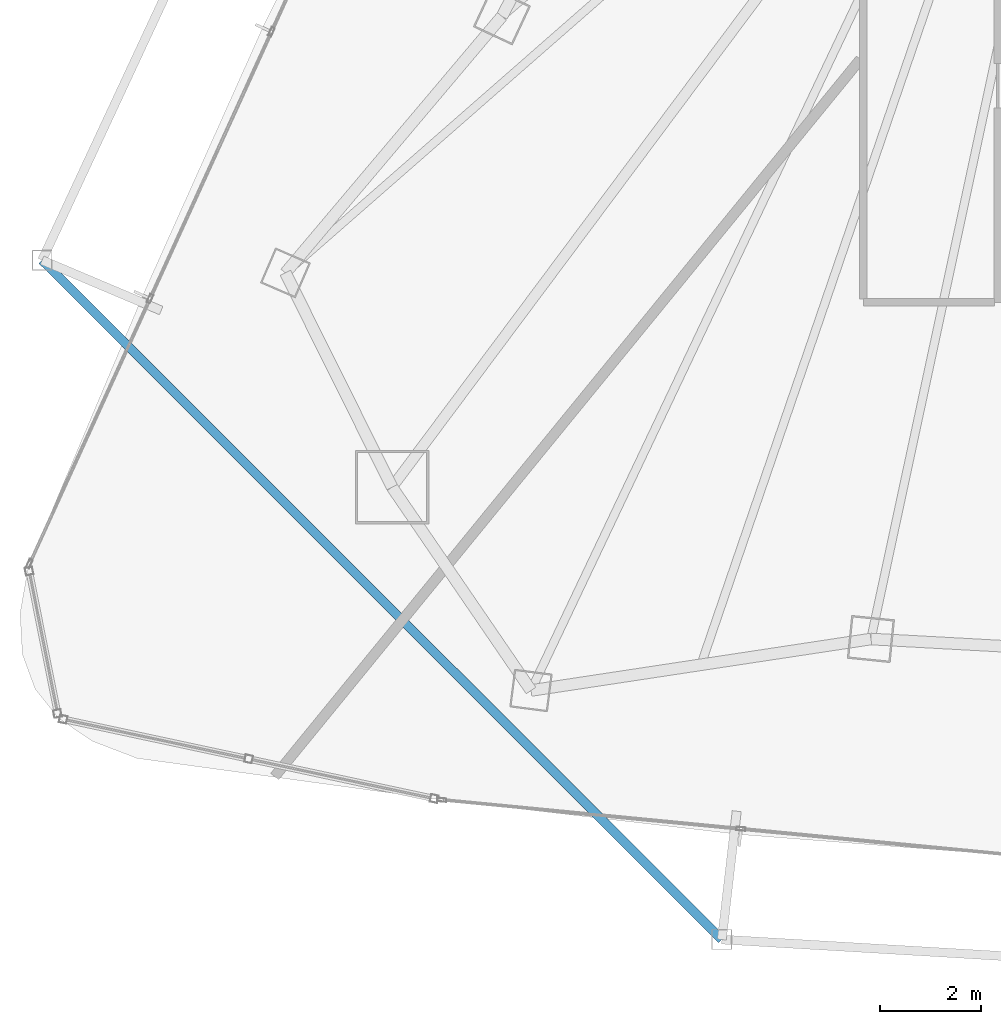
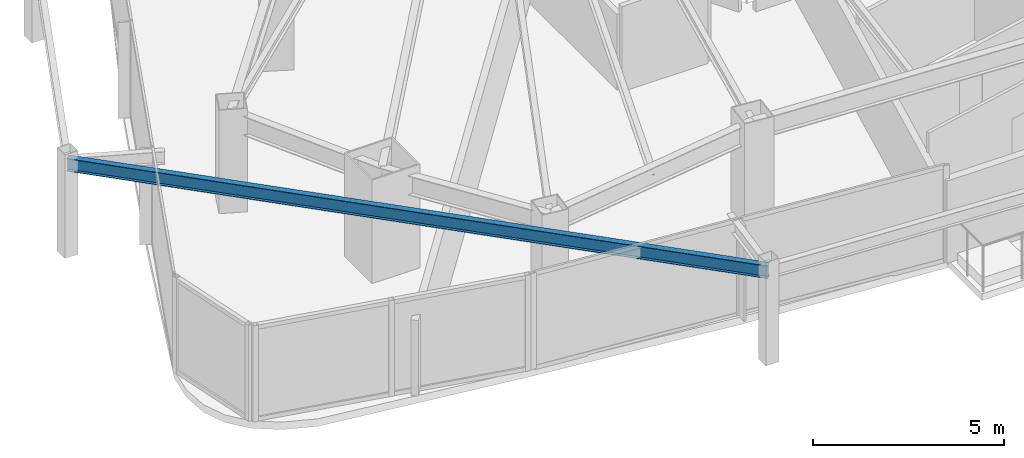
# One storey, part 3 of 33: 1 beam.
"""IFC4 building model written with IfcOpenShell, lengths in metres."""

from ifc_helpers import new_model, si_unit, direction, frame, origin, origin_2d, place, context, subcontext, project, spatial, i_section, extrude, material, material_profile, profile_set, type_object, element, save


model = new_model("IFC4")

# Units and contexts
model_context = context("Model", 3, precision=1e-05, world=origin(), true_north=direction((0.0, 1.0)))
body_context = subcontext(model_context, "Body", "Model", "MODEL_VIEW")
ifc_project = project(units=[si_unit("LENGTHUNIT", "METRE"), si_unit("AREAUNIT", "SQUARE_METRE"), si_unit("VOLUMEUNIT", "CUBIC_METRE"), si_unit("PLANEANGLEUNIT", "RADIAN"), si_unit("MASSUNIT", "GRAM", prefix="KILO")], contexts=[model_context])

# Site, building, storey
site_placement = place(None, origin())
site = spatial("IfcSite", under=ifc_project, at=site_placement, CompositionType="ELEMENT")
building_placement = place(site_placement, origin())
building = spatial("IfcBuilding", under=site, at=building_placement, Name="Orvanel Arch Residences", CompositionType="ELEMENT")
storey_placement = place(building_placement, frame((0.0, 0.0, 116.60009765625)))
storey = spatial("IfcBuildingStorey", under=building, at=storey_placement, Name="L32", CompositionType="ELEMENT", Elevation=116.60009765625)

# Beam
ifc_material = material(Name="Structural steel AS/NZS 3679.1 Grade 300 (300 MPa)", Category="steel")
ifc_material_profile = material_profile(ifc_material, i_section(OverallWidth=0.177978515625, OverallDepth=0.406005859375, WebThickness=0.0078125, FlangeThickness=0.0126953125, at=origin_2d()), Name="410UB59.7")
ifc_profile_set = profile_set([ifc_material_profile], Name="Structural steel AS/NZS 3679.1 Grade 300 (300 MPa)")
beam_type = type_object("IfcBeamType", Name="OB-410UB-EXT", PredefinedType="SPANDREL", material=ifc_profile_set)
beam_placement = place(storey_placement, frame((7.29296875, 14.830078125, 2.85693359375), z_axis=(0.707319161305, -0.70689433726, 0.0), x_axis=(0.70689433726, 0.707319161305, 0.0)))
element("IfcBeam", 1, at=beam_placement, inside=storey, type_object=beam_type, Name="L32 Outer Perimeter Floor Ring Beam 04", PredefinedType="SPANDREL", context=body_context, shape_type="SweptSolid", body=[
    extrude(i_section(OverallWidth=0.177978515625, OverallDepth=0.406005859375, WebThickness=0.0078125, FlangeThickness=0.0126953125, at=origin_2d()), origin(), (0.0, 0.0, 1.0), 18.964599609375),
])

save(model, "model.ifc")
